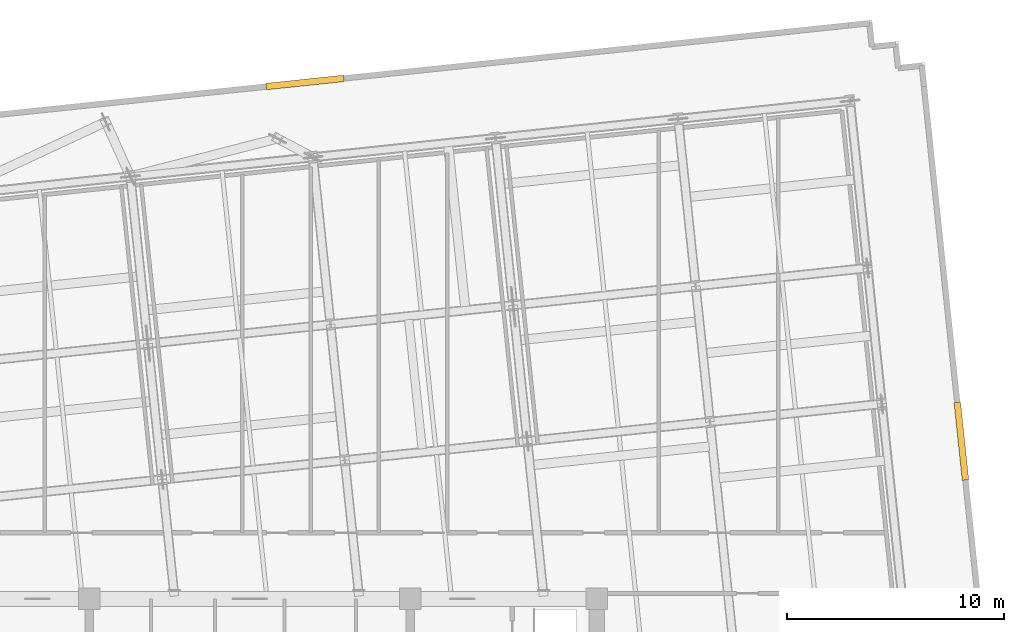
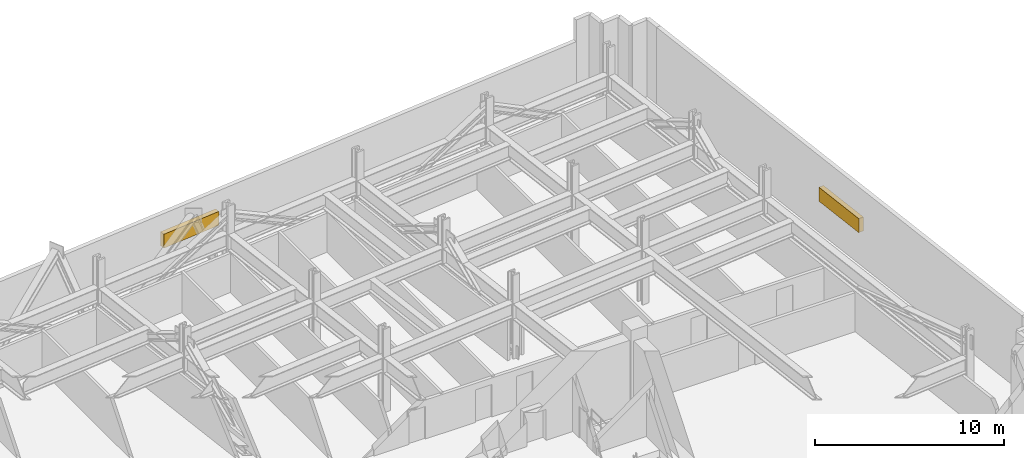
# One storey, part 10 of 11: 2 shading devices.
"""IFC4 building model written with IfcOpenShell, lengths in metres."""

from ifc_helpers import new_model, si_unit, direction, frame, origin, origin_2d, place, context, subcontext, project, spatial, rectangle, extrude, material, type_object, element, save


model = new_model("IFC4")

# Units and contexts
model_context = context("Model", 3, precision=1e-05, world=origin(), true_north=direction((0.0, 1.0)))
body_context = subcontext(model_context, "Body", "Model", "MODEL_VIEW")
ifc_project = project(units=[si_unit("LENGTHUNIT", "METRE"), si_unit("AREAUNIT", "SQUARE_METRE"), si_unit("VOLUMEUNIT", "CUBIC_METRE"), si_unit("PLANEANGLEUNIT", "RADIAN"), si_unit("MASSUNIT", "GRAM", prefix="KILO")], contexts=[model_context])

# Site, building, storey
site_placement = place(None, origin())
site = spatial("IfcSite", under=ifc_project, at=site_placement, CompositionType="ELEMENT")
building_placement = place(site_placement, origin())
building = spatial("IfcBuilding", under=site, at=building_placement, Name="Solmavex Isthmus Hotel", CompositionType="ELEMENT")
storey_placement = place(building_placement, frame((0.0, 0.0, 130.5)))
storey = spatial("IfcBuildingStorey", under=building, at=storey_placement, Name="L35", CompositionType="ELEMENT", Elevation=130.5)

# Shading devices
ifc_material = material(Name="Aluminium alloy 6063-T6", Category="aluminium")
shading_device_type = type_object("IfcShadingDeviceType", Name="SHD-LOUVRE-BOX", PredefinedType="JALOUSIE", material=ifc_material)
for number, where, z_axis, x_axis, name in (
    (1, (2.549072265625, 21.3125, 1.32763671875), (0.0, 0.0, 1.0), (0.994521895368, 0.104528463268, 0.0), "Acoustic Intake Louvre Screen L35-14"),
    (2, (32.814697265625, 4.765380859375, 2.025146484375), (0.0, 0.0, 1.0), (0.104528463268, -0.994521895368, 0.0), "Acoustic Intake Louvre Screen L35-21"),
):
    element("IfcShadingDevice", number, at=place(storey_placement, frame(where, z_axis=z_axis, x_axis=x_axis)), inside=storey, type_object=shading_device_type, Name=name, PredefinedType="JALOUSIE", context=body_context, shape_type="SweptSolid", body=[
        extrude(rectangle(XDim=3.60009765625, YDim=0.300048828125, at=origin_2d()), origin(), (0.0, 0.0, 1.0), 0.89990234375),
    ])

save(model, "model.ifc")
